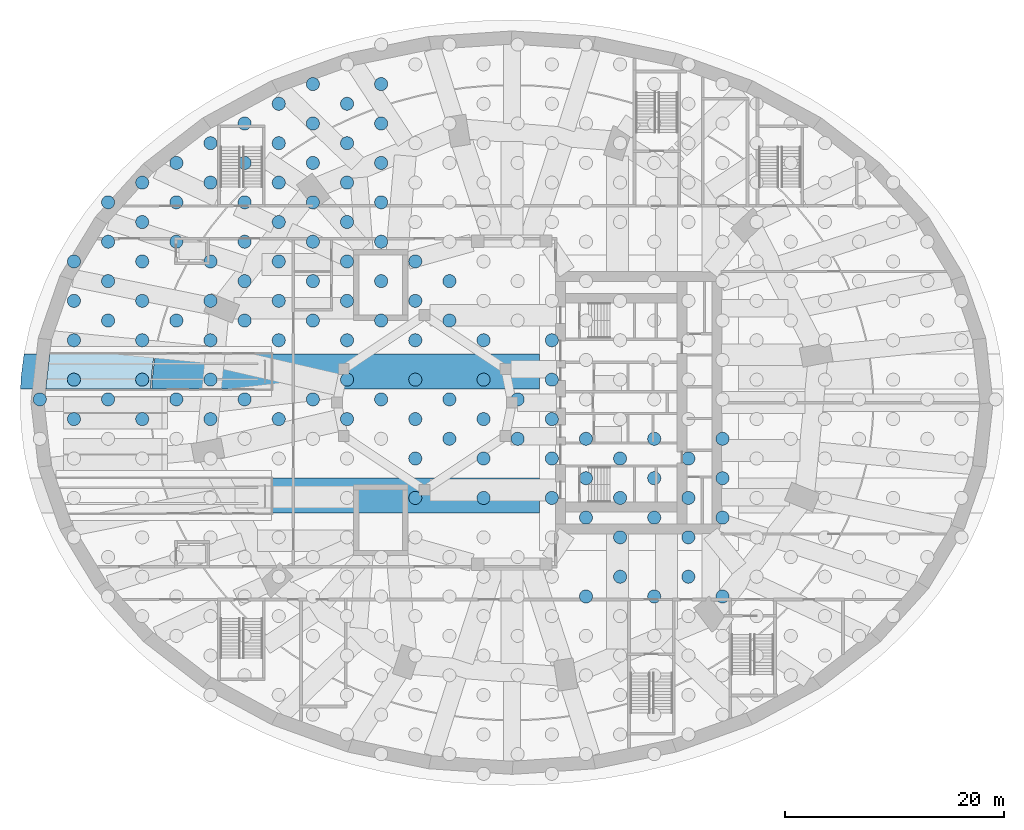
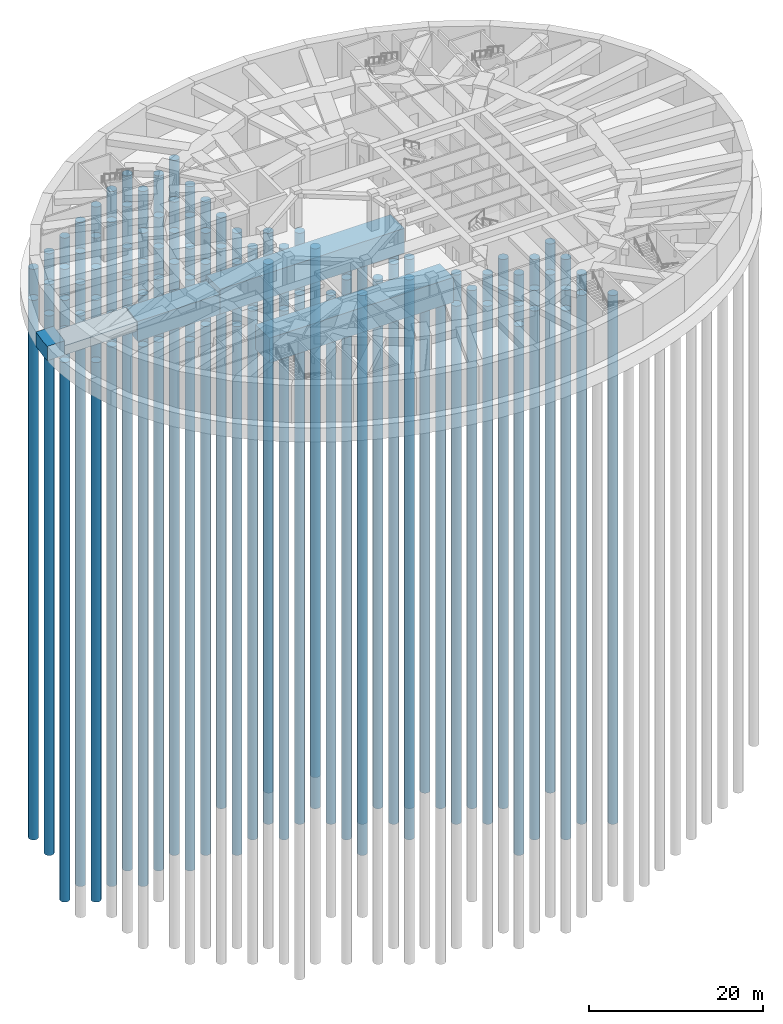
# One storey, part 2 of 18: 113 piles, 5 footings.
"""IFC4 building model written with IfcOpenShell, lengths in metres."""

from ifc_helpers import new_model, si_unit, direction, frame, origin, origin_2d, place, context, subcontext, project, spatial, polyline, circle, outline, extrude, material, layer, layer_set, material_profile, profile_set, type_object, element, save


model = new_model("IFC4")

# Units and contexts
model_context = context("Model", 3, precision=1e-05, world=origin(), true_north=direction((0.0, 1.0)))
body_context = subcontext(model_context, "Body", "Model", "MODEL_VIEW")
ifc_project = project(units=[si_unit("LENGTHUNIT", "METRE"), si_unit("AREAUNIT", "SQUARE_METRE"), si_unit("VOLUMEUNIT", "CUBIC_METRE"), si_unit("PLANEANGLEUNIT", "RADIAN"), si_unit("MASSUNIT", "GRAM", prefix="KILO")], contexts=[model_context])

# Site, building, storey
site_placement = place(None, origin())
site = spatial("IfcSite", under=ifc_project, at=site_placement, CompositionType="ELEMENT")
building_placement = place(site_placement, origin())
building = spatial("IfcBuilding", under=site, at=building_placement, Name="Taillehof Tower", CompositionType="ELEMENT")
storey_placement = place(building_placement, frame((0.0, 0.0, -10.39990234375)))
storey = spatial("IfcBuildingStorey", under=building, at=storey_placement, Name="B2", CompositionType="ELEMENT", Elevation=-10.39990234375)

# Piles
ifc_material_1 = material(Name="Concrete C30/37", Category="concrete")
ifc_material_profile = material_profile(ifc_material_1, circle(Radius=0.60009765625, at=origin_2d()), Name="BP D1200")
ifc_profile_set = profile_set([ifc_material_profile], Name="Concrete C30/37")
pile_type = type_object("IfcPileType", Name="Bored pile D1200", PredefinedType="BORED", material=ifc_profile_set)
for number, where, z_axis, x_axis, name in (
    (1, (6.76416015625, -17.72412109375, -3.402099609375), (0.0, 0.0, -1.0), (1.0, 0.0, 0.0), "Pile 074"),
    (2, (13.008056640625, -17.72412109375, -3.402099609375), (0.0, 0.0, -1.0), (1.0, 0.0, 0.0), "Pile 075"),
    (3, (19.252197265625, -17.723876953125, -3.402099609375), (0.0, 0.0, -1.0), (1.0, 0.0, 0.0), "Pile 076"),
    (4, (9.885986328125, -15.921630859375, -3.402099609375), (0.0, 0.0, -1.0), (1.0, 0.0, 0.0), "Pile 084"),
    (5, (16.130126953125, -15.92138671875, -3.402099609375), (0.0, 0.0, -1.0), (1.0, 0.0, 0.0), "Pile 085"),
):
    element("IfcPile", number, at=place(storey_placement, frame(where, z_axis=z_axis, x_axis=x_axis)), inside=storey, type_object=pile_type, Name=name, PredefinedType="BORED", context=body_context, shape_type="SweptSolid", body=[
        extrude(circle(Radius=0.60009765625, at=origin_2d()), origin(), (0.0, 0.0, 1.0), 74.298095703125),
    ])
for number, where, z_axis, x_axis, name in (
    (6, (9.88623046875, -12.316650390625, -4.902099609375), (0.0, 0.0, -1.0), (1.0, 0.0, 0.0), "Pile 107"),
    (7, (16.130126953125, -12.316650390625, -4.902099609375), (0.0, 0.0, -1.0), (1.0, 0.0, 0.0), "Pile 108"),
    (8, (6.76416015625, -10.514404296875, -4.902099609375), (0.0, 0.0, -1.0), (1.0, 0.0, 0.0), "Pile 113"),
    (9, (13.00830078125, -10.51416015625, -4.902099609375), (0.0, 0.0, -1.0), (1.0, 0.0, 0.0), "Pile 114"),
    (10, (19.252197265625, -10.51416015625, -4.902099609375), (0.0, 0.0, -1.0), (1.0, 0.0, 0.0), "Pile 115"),
):
    element("IfcPile", number, at=place(storey_placement, frame(where, z_axis=z_axis, x_axis=x_axis)), inside=storey, type_object=pile_type, Name=name, PredefinedType="BORED", context=body_context, shape_type="SweptSolid", body=[
        extrude(circle(Radius=0.60009765625, at=origin_2d()), origin(), (0.0, 0.0, 1.0), 72.798095703125),
    ])
for number, where, z_axis, x_axis, name in (
    (11, (-8.845703125, -8.7119140625, -3.402099609375), (0.0, 0.0, -1.0), (1.0, 0.0, 0.0), "Pile 120"),
    (12, (-2.601806640625, -8.7119140625, -3.402099609375), (0.0, 0.0, -1.0), (1.0, 0.0, 0.0), "Pile 121"),
):
    element("IfcPile", number, at=place(storey_placement, frame(where, z_axis=z_axis, x_axis=x_axis)), inside=storey, type_object=pile_type, Name=name, PredefinedType="BORED", context=body_context, shape_type="SweptSolid", body=[
        extrude(circle(Radius=0.60009765625, at=origin_2d()), origin(), (0.0, 0.0, 1.0), 74.298095703125),
    ])
for number, where, z_axis, x_axis, name in (
    (13, (3.64208984375, -8.7119140625, -4.902099609375), (0.0, 0.0, -1.0), (1.0, 0.0, 0.0), "Pile 122"),
    (14, (9.88623046875, -8.7119140625, -4.902099609375), (0.0, 0.0, -1.0), (1.0, 0.0, 0.0), "Pile 123"),
    (15, (16.130126953125, -8.711669921875, -4.902099609375), (0.0, 0.0, -1.0), (1.0, 0.0, 0.0), "Pile 124"),
    (16, (6.76416015625, -6.9091796875, -4.902099609375), (0.0, 0.0, -1.0), (1.0, 0.0, 0.0), "Pile 129"),
    (17, (13.00830078125, -6.9091796875, -4.902099609375), (0.0, 0.0, -1.0), (1.0, 0.0, 0.0), "Pile 130"),
    (18, (19.252197265625, -6.9091796875, -4.902099609375), (0.0, 0.0, -1.0), (1.0, 0.0, 0.0), "Pile 131"),
):
    element("IfcPile", number, at=place(storey_placement, frame(where, z_axis=z_axis, x_axis=x_axis)), inside=storey, type_object=pile_type, Name=name, PredefinedType="BORED", context=body_context, shape_type="SweptSolid", body=[
        extrude(circle(Radius=0.60009765625, at=origin_2d()), origin(), (0.0, 0.0, 1.0), 72.798095703125),
    ])
for number, where, z_axis, x_axis, name in (
    (19, (-8.845703125, -5.107177734375, -3.402099609375), (0.0, 0.0, -1.0), (1.0, 0.0, 0.0), "Pile 137"),
    (20, (-2.601806640625, -5.10693359375, -3.402099609375), (0.0, 0.0, -1.0), (1.0, 0.0, 0.0), "Pile 138"),
):
    element("IfcPile", number, at=place(storey_placement, frame(where, z_axis=z_axis, x_axis=x_axis)), inside=storey, type_object=pile_type, Name=name, PredefinedType="BORED", context=body_context, shape_type="SweptSolid", body=[
        extrude(circle(Radius=0.60009765625, at=origin_2d()), origin(), (0.0, 0.0, 1.0), 74.298095703125),
    ])
for number, where, z_axis, x_axis, name in (
    (21, (3.642333984375, -5.10693359375, -4.902099609375), (0.0, 0.0, -1.0), (1.0, 0.0, 0.0), "Pile 139"),
    (22, (9.88623046875, -5.106689453125, -4.902099609375), (0.0, 0.0, -1.0), (1.0, 0.0, 0.0), "Pile 140"),
    (23, (16.13037109375, -5.106689453125, -4.902099609375), (0.0, 0.0, -1.0), (1.0, 0.0, 0.0), "Pile 141"),
):
    element("IfcPile", number, at=place(storey_placement, frame(where, z_axis=z_axis, x_axis=x_axis)), inside=storey, type_object=pile_type, Name=name, PredefinedType="BORED", context=body_context, shape_type="SweptSolid", body=[
        extrude(circle(Radius=0.60009765625, at=origin_2d()), origin(), (0.0, 0.0, 1.0), 72.798095703125),
    ])
for number, where, z_axis, x_axis, name in (
    (24, (-5.7236328125, -3.3046875, -3.402099609375), (0.0, 0.0, -1.0), (1.0, 0.0, 0.0), "Pile 152"),
    (25, (0.520263671875, -3.304443359375, -3.402099609375), (0.0, 0.0, -1.0), (1.0, 0.0, 0.0), "Pile 153"),
):
    element("IfcPile", number, at=place(storey_placement, frame(where, z_axis=z_axis, x_axis=x_axis)), inside=storey, type_object=pile_type, Name=name, PredefinedType="BORED", context=body_context, shape_type="SweptSolid", body=[
        extrude(circle(Radius=0.60009765625, at=origin_2d()), origin(), (0.0, 0.0, 1.0), 74.298095703125),
    ])
for number, where, z_axis, x_axis, name in (
    (26, (6.764404296875, -3.304443359375, -4.902099609375), (0.0, 0.0, -1.0), (1.0, 0.0, 0.0), "Pile 154"),
    (27, (13.00830078125, -3.30419921875, -4.902099609375), (0.0, 0.0, -1.0), (1.0, 0.0, 0.0), "Pile 155"),
    (28, (19.252197265625, -3.30419921875, -4.902099609375), (0.0, 0.0, -1.0), (1.0, 0.0, 0.0), "Pile 156"),
):
    element("IfcPile", number, at=place(storey_placement, frame(where, z_axis=z_axis, x_axis=x_axis)), inside=storey, type_object=pile_type, Name=name, PredefinedType="BORED", context=body_context, shape_type="SweptSolid", body=[
        extrude(circle(Radius=0.60009765625, at=origin_2d()), origin(), (0.0, 0.0, 1.0), 72.798095703125),
    ])
for number, where, z_axis, x_axis, name in (
    (29, (-40.065673828125, -1.502685546875, -1.902099609375), (0.0, 0.0, -1.0), (1.0, 0.0, 0.0), "Pile 160"),
    (30, (-33.82177734375, -1.50244140625, -1.902099609375), (0.0, 0.0, -1.0), (1.0, 0.0, 0.0), "Pile 161"),
):
    element("IfcPile", number, at=place(storey_placement, frame(where, z_axis=z_axis, x_axis=x_axis)), inside=storey, type_object=pile_type, Name=name, PredefinedType="BORED", context=body_context, shape_type="SweptSolid", body=[
        extrude(circle(Radius=0.60009765625, at=origin_2d()), origin(), (0.0, 0.0, 1.0), 75.798095703125),
    ])
for number, where, z_axis, x_axis, name in (
    (31, (-27.57763671875, -1.50244140625, -3.402099609375), (0.0, 0.0, -1.0), (1.0, 0.0, 0.0), "Pile 162"),
    (32, (-21.333740234375, -1.502197265625, -3.402099609375), (0.0, 0.0, -1.0), (1.0, 0.0, 0.0), "Pile 163"),
    (33, (-15.089599609375, -1.502197265625, -3.402099609375), (0.0, 0.0, -1.0), (1.0, 0.0, 0.0), "Pile 164"),
    (34, (-8.845703125, -1.502197265625, -3.402099609375), (0.0, 0.0, -1.0), (1.0, 0.0, 0.0), "Pile 165"),
    (35, (-2.601806640625, -1.502197265625, -3.402099609375), (0.0, 0.0, -1.0), (1.0, 0.0, 0.0), "Pile 166"),
):
    element("IfcPile", number, at=place(storey_placement, frame(where, z_axis=z_axis, x_axis=x_axis)), inside=storey, type_object=pile_type, Name=name, PredefinedType="BORED", context=body_context, shape_type="SweptSolid", body=[
        extrude(circle(Radius=0.60009765625, at=origin_2d()), origin(), (0.0, 0.0, 1.0), 74.298095703125),
    ])
pile_1_placement = place(storey_placement, frame((3.642333984375, -1.501953125, -4.902099609375), z_axis=(0.0, 0.0, -1.0), x_axis=(1.0, 0.0, 0.0)))
element("IfcPile", 36, at=pile_1_placement, inside=storey, type_object=pile_type, Name="Pile 167", PredefinedType="BORED", context=body_context, shape_type="SweptSolid", body=[
    extrude(circle(Radius=0.60009765625, at=origin_2d()), origin(), (0.0, 0.0, 1.0), 72.798095703125),
])
for number, where, z_axis, x_axis, name in (
    (37, (-43.1875, 0.2998046875, -1.902099609375), (0.0, 0.0, -1.0), (1.0, 0.0, 0.0), "Pile 174"),
    (38, (-36.943603515625, 0.2998046875, -1.902099609375), (0.0, 0.0, -1.0), (1.0, 0.0, 0.0), "Pile 175"),
):
    element("IfcPile", number, at=place(storey_placement, frame(where, z_axis=z_axis, x_axis=x_axis)), inside=storey, type_object=pile_type, Name=name, PredefinedType="BORED", context=body_context, shape_type="SweptSolid", body=[
        extrude(circle(Radius=0.60009765625, at=origin_2d()), origin(), (0.0, 0.0, 1.0), 75.798095703125),
    ])
for number, where, z_axis, x_axis, name in (
    (39, (-30.69970703125, 0.300048828125, -3.402099609375), (0.0, 0.0, -1.0), (1.0, 0.0, 0.0), "Pile 176"),
    (40, (-24.455810546875, 0.300048828125, -3.402099609375), (0.0, 0.0, -1.0), (1.0, 0.0, 0.0), "Pile 177"),
    (41, (-18.211669921875, 0.30029296875, -3.402099609375), (0.0, 0.0, -1.0), (1.0, 0.0, 0.0), "Pile 178"),
    (42, (-11.9677734375, 0.30029296875, -3.402099609375), (0.0, 0.0, -1.0), (1.0, 0.0, 0.0), "Pile 179"),
    (43, (-5.7236328125, 0.30029296875, -3.402099609375), (0.0, 0.0, -1.0), (1.0, 0.0, 0.0), "Pile 180"),
    (44, (0.520263671875, 0.30029296875, -3.402099609375), (0.0, 0.0, -1.0), (1.0, 0.0, 0.0), "Pile 181"),
):
    element("IfcPile", number, at=place(storey_placement, frame(where, z_axis=z_axis, x_axis=x_axis)), inside=storey, type_object=pile_type, Name=name, PredefinedType="BORED", context=body_context, shape_type="SweptSolid", body=[
        extrude(circle(Radius=0.60009765625, at=origin_2d()), origin(), (0.0, 0.0, 1.0), 74.298095703125),
    ])
for number, where, z_axis, x_axis, name in (
    (45, (-40.065673828125, 2.102294921875, -1.902099609375), (0.0, 0.0, -1.0), (1.0, 0.0, 0.0), "Pile 189"),
    (46, (-33.821533203125, 2.102294921875, -1.902099609375), (0.0, 0.0, -1.0), (1.0, 0.0, 0.0), "Pile 190"),
):
    element("IfcPile", number, at=place(storey_placement, frame(where, z_axis=z_axis, x_axis=x_axis)), inside=storey, type_object=pile_type, Name=name, PredefinedType="BORED", context=body_context, shape_type="SweptSolid", body=[
        extrude(circle(Radius=0.60009765625, at=origin_2d()), origin(), (0.0, 0.0, 1.0), 75.798095703125),
    ])
for number, where, z_axis, x_axis, name in (
    (47, (-27.57763671875, 2.1025390625, -3.402099609375), (0.0, 0.0, -1.0), (1.0, 0.0, 0.0), "Pile 191"),
    (48, (-15.089599609375, 2.102783203125, -3.402099609375), (0.0, 0.0, -1.0), (1.0, 0.0, 0.0), "Pile 192"),
    (49, (-8.845703125, 2.102783203125, -3.402099609375), (0.0, 0.0, -1.0), (1.0, 0.0, 0.0), "Pile 193"),
    (50, (-2.6015625, 2.102783203125, -3.402099609375), (0.0, 0.0, -1.0), (1.0, 0.0, 0.0), "Pile 194"),
):
    element("IfcPile", number, at=place(storey_placement, frame(where, z_axis=z_axis, x_axis=x_axis)), inside=storey, type_object=pile_type, Name=name, PredefinedType="BORED", context=body_context, shape_type="SweptSolid", body=[
        extrude(circle(Radius=0.60009765625, at=origin_2d()), origin(), (0.0, 0.0, 1.0), 74.298095703125),
    ])
pile_2_placement = place(storey_placement, frame((3.642333984375, 2.102783203125, -4.902099609375), z_axis=(0.0, 0.0, -1.0), x_axis=(1.0, 0.0, 0.0)))
element("IfcPile", 51, at=pile_2_placement, inside=storey, type_object=pile_type, Name="Pile 195", PredefinedType="BORED", context=body_context, shape_type="SweptSolid", body=[
    extrude(circle(Radius=0.60009765625, at=origin_2d()), origin(), (0.0, 0.0, 1.0), 72.798095703125),
])
for number, where, z_axis, x_axis, name in (
    (52, (-40.065673828125, 5.707275390625, -1.902099609375), (0.0, 0.0, -1.0), (1.0, 0.0, 0.0), "Pile 205"),
    (53, (-33.821533203125, 5.70751953125, -1.902099609375), (0.0, 0.0, -1.0), (1.0, 0.0, 0.0), "Pile 206"),
):
    element("IfcPile", number, at=place(storey_placement, frame(where, z_axis=z_axis, x_axis=x_axis)), inside=storey, type_object=pile_type, Name=name, PredefinedType="BORED", context=body_context, shape_type="SweptSolid", body=[
        extrude(circle(Radius=0.60009765625, at=origin_2d()), origin(), (0.0, 0.0, 1.0), 75.798095703125),
    ])
for number, where, z_axis, x_axis, name in (
    (54, (-27.57763671875, 5.70751953125, -3.402099609375), (0.0, 0.0, -1.0), (1.0, 0.0, 0.0), "Pile 207"),
    (55, (-21.33349609375, 5.70751953125, -3.402099609375), (0.0, 0.0, -1.0), (1.0, 0.0, 0.0), "Pile 208"),
    (56, (-15.089599609375, 5.70751953125, -3.402099609375), (0.0, 0.0, -1.0), (1.0, 0.0, 0.0), "Pile 209"),
    (57, (-8.845703125, 5.707763671875, -3.402099609375), (0.0, 0.0, -1.0), (1.0, 0.0, 0.0), "Pile 210"),
    (58, (-2.6015625, 5.707763671875, -3.402099609375), (0.0, 0.0, -1.0), (1.0, 0.0, 0.0), "Pile 211"),
):
    element("IfcPile", number, at=place(storey_placement, frame(where, z_axis=z_axis, x_axis=x_axis)), inside=storey, type_object=pile_type, Name=name, PredefinedType="BORED", context=body_context, shape_type="SweptSolid", body=[
        extrude(circle(Radius=0.60009765625, at=origin_2d()), origin(), (0.0, 0.0, 1.0), 74.298095703125),
    ])
pile_3_placement = place(storey_placement, frame((3.642333984375, 5.707763671875, -4.902099609375), z_axis=(0.0, 0.0, -1.0), x_axis=(1.0, 0.0, 0.0)))
element("IfcPile", 59, at=pile_3_placement, inside=storey, type_object=pile_type, Name="Pile 212", PredefinedType="BORED", context=body_context, shape_type="SweptSolid", body=[
    extrude(circle(Radius=0.60009765625, at=origin_2d()), origin(), (0.0, 0.0, 1.0), 72.798095703125),
])
pile_4_placement = place(storey_placement, frame((-36.943603515625, 7.509765625, -1.902099609375), z_axis=(0.0, 0.0, -1.0), x_axis=(1.0, 0.0, 0.0)))
element("IfcPile", 60, at=pile_4_placement, inside=storey, type_object=pile_type, Name="Pile 219", PredefinedType="BORED", context=body_context, shape_type="SweptSolid", body=[
    extrude(circle(Radius=0.60009765625, at=origin_2d()), origin(), (0.0, 0.0, 1.0), 75.798095703125),
])
for number, where, z_axis, x_axis, name in (
    (61, (-30.69970703125, 7.510009765625, -3.402099609375), (0.0, 0.0, -1.0), (1.0, 0.0, 0.0), "Pile 220"),
    (62, (-24.45556640625, 7.510009765625, -3.402099609375), (0.0, 0.0, -1.0), (1.0, 0.0, 0.0), "Pile 221"),
    (63, (-18.211669921875, 7.510009765625, -3.402099609375), (0.0, 0.0, -1.0), (1.0, 0.0, 0.0), "Pile 222"),
    (64, (-11.967529296875, 7.510009765625, -3.402099609375), (0.0, 0.0, -1.0), (1.0, 0.0, 0.0), "Pile 223"),
    (65, (-5.7236328125, 7.51025390625, -3.402099609375), (0.0, 0.0, -1.0), (1.0, 0.0, 0.0), "Pile 224"),
):
    element("IfcPile", number, at=place(storey_placement, frame(where, z_axis=z_axis, x_axis=x_axis)), inside=storey, type_object=pile_type, Name=name, PredefinedType="BORED", context=body_context, shape_type="SweptSolid", body=[
        extrude(circle(Radius=0.60009765625, at=origin_2d()), origin(), (0.0, 0.0, 1.0), 74.298095703125),
    ])
for number, where, z_axis, x_axis, name in (
    (66, (-40.0654296875, 9.312255859375, -1.902099609375), (0.0, 0.0, -1.0), (1.0, 0.0, 0.0), "Pile 231"),
    (67, (-33.821533203125, 9.312255859375, -1.902099609375), (0.0, 0.0, -1.0), (1.0, 0.0, 0.0), "Pile 232"),
):
    element("IfcPile", number, at=place(storey_placement, frame(where, z_axis=z_axis, x_axis=x_axis)), inside=storey, type_object=pile_type, Name=name, PredefinedType="BORED", context=body_context, shape_type="SweptSolid", body=[
        extrude(circle(Radius=0.60009765625, at=origin_2d()), origin(), (0.0, 0.0, 1.0), 75.798095703125),
    ])
for number, where, z_axis, x_axis, name in (
    (68, (-27.577392578125, 9.3125, -3.402099609375), (0.0, 0.0, -1.0), (1.0, 0.0, 0.0), "Pile 233"),
    (69, (-21.33349609375, 9.3125, -3.402099609375), (0.0, 0.0, -1.0), (1.0, 0.0, 0.0), "Pile 234"),
    (70, (-15.089599609375, 9.3125, -3.402099609375), (0.0, 0.0, -1.0), (1.0, 0.0, 0.0), "Pile 235"),
    (71, (-8.845458984375, 9.3125, -3.402099609375), (0.0, 0.0, -1.0), (1.0, 0.0, 0.0), "Pile 236"),
):
    element("IfcPile", number, at=place(storey_placement, frame(where, z_axis=z_axis, x_axis=x_axis)), inside=storey, type_object=pile_type, Name=name, PredefinedType="BORED", context=body_context, shape_type="SweptSolid", body=[
        extrude(circle(Radius=0.60009765625, at=origin_2d()), origin(), (0.0, 0.0, 1.0), 74.298095703125),
    ])
pile_5_placement = place(storey_placement, frame((-36.943603515625, 11.11474609375, -1.902099609375), z_axis=(0.0, 0.0, -1.0), x_axis=(1.0, 0.0, 0.0)))
element("IfcPile", 72, at=pile_5_placement, inside=storey, type_object=pile_type, Name="Pile 245", PredefinedType="BORED", context=body_context, shape_type="SweptSolid", body=[
    extrude(circle(Radius=0.60009765625, at=origin_2d()), origin(), (0.0, 0.0, 1.0), 75.798095703125),
])
for number, where, z_axis, x_axis, name in (
    (73, (-24.45556640625, 11.114990234375, -3.402099609375), (0.0, 0.0, -1.0), (1.0, 0.0, 0.0), "Pile 246"),
    (74, (-18.21142578125, 11.114990234375, -3.402099609375), (0.0, 0.0, -1.0), (1.0, 0.0, 0.0), "Pile 247"),
    (75, (-11.967529296875, 11.114990234375, -3.402099609375), (0.0, 0.0, -1.0), (1.0, 0.0, 0.0), "Pile 248"),
    (76, (-5.723388671875, 11.114990234375, -3.402099609375), (0.0, 0.0, -1.0), (1.0, 0.0, 0.0), "Pile 249"),
):
    element("IfcPile", number, at=place(storey_placement, frame(where, z_axis=z_axis, x_axis=x_axis)), inside=storey, type_object=pile_type, Name=name, PredefinedType="BORED", context=body_context, shape_type="SweptSolid", body=[
        extrude(circle(Radius=0.60009765625, at=origin_2d()), origin(), (0.0, 0.0, 1.0), 74.298095703125),
    ])
for number, where, z_axis, x_axis, name in (
    (77, (-40.0654296875, 12.9169921875, -1.902099609375), (0.0, 0.0, -1.0), (1.0, 0.0, 0.0), "Pile 257"),
    (78, (-33.821533203125, 12.917236328125, -1.902099609375), (0.0, 0.0, -1.0), (1.0, 0.0, 0.0), "Pile 258"),
):
    element("IfcPile", number, at=place(storey_placement, frame(where, z_axis=z_axis, x_axis=x_axis)), inside=storey, type_object=pile_type, Name=name, PredefinedType="BORED", context=body_context, shape_type="SweptSolid", body=[
        extrude(circle(Radius=0.60009765625, at=origin_2d()), origin(), (0.0, 0.0, 1.0), 75.798095703125),
    ])
for number, where, z_axis, x_axis, name in (
    (79, (-27.577392578125, 12.917236328125, -3.402099609375), (0.0, 0.0, -1.0), (1.0, 0.0, 0.0), "Pile 259"),
    (80, (-21.33349609375, 12.91748046875, -3.402099609375), (0.0, 0.0, -1.0), (1.0, 0.0, 0.0), "Pile 260"),
    (81, (-15.089599609375, 12.91748046875, -3.402099609375), (0.0, 0.0, -1.0), (1.0, 0.0, 0.0), "Pile 261"),
    (82, (-8.845458984375, 12.91748046875, -3.402099609375), (0.0, 0.0, -1.0), (1.0, 0.0, 0.0), "Pile 262"),
):
    element("IfcPile", number, at=place(storey_placement, frame(where, z_axis=z_axis, x_axis=x_axis)), inside=storey, type_object=pile_type, Name=name, PredefinedType="BORED", context=body_context, shape_type="SweptSolid", body=[
        extrude(circle(Radius=0.60009765625, at=origin_2d()), origin(), (0.0, 0.0, 1.0), 74.298095703125),
    ])
for number, where, z_axis, x_axis, name in (
    (83, (-36.943603515625, 14.719482421875, -1.902099609375), (0.0, 0.0, -1.0), (1.0, 0.0, 0.0), "Pile 267"),
    (84, (-30.699462890625, 14.7197265625, -1.902099609375), (0.0, 0.0, -1.0), (1.0, 0.0, 0.0), "Pile 268"),
):
    element("IfcPile", number, at=place(storey_placement, frame(where, z_axis=z_axis, x_axis=x_axis)), inside=storey, type_object=pile_type, Name=name, PredefinedType="BORED", context=body_context, shape_type="SweptSolid", body=[
        extrude(circle(Radius=0.60009765625, at=origin_2d()), origin(), (0.0, 0.0, 1.0), 75.798095703125),
    ])
for number, where, z_axis, x_axis, name in (
    (85, (-24.45556640625, 14.7197265625, -3.402099609375), (0.0, 0.0, -1.0), (1.0, 0.0, 0.0), "Pile 269"),
    (86, (-18.21142578125, 14.719970703125, -3.402099609375), (0.0, 0.0, -1.0), (1.0, 0.0, 0.0), "Pile 270"),
    (87, (-11.967529296875, 14.719970703125, -3.402099609375), (0.0, 0.0, -1.0), (1.0, 0.0, 0.0), "Pile 271"),
):
    element("IfcPile", number, at=place(storey_placement, frame(where, z_axis=z_axis, x_axis=x_axis)), inside=storey, type_object=pile_type, Name=name, PredefinedType="BORED", context=body_context, shape_type="SweptSolid", body=[
        extrude(circle(Radius=0.60009765625, at=origin_2d()), origin(), (0.0, 0.0, 1.0), 74.298095703125),
    ])
pile_6_placement = place(storey_placement, frame((-33.8212890625, 16.522216796875, -1.902099609375), z_axis=(0.0, 0.0, -1.0), x_axis=(1.0, 0.0, 0.0)))
element("IfcPile", 88, at=pile_6_placement, inside=storey, type_object=pile_type, Name="Pile 280", PredefinedType="BORED", context=body_context, shape_type="SweptSolid", body=[
    extrude(circle(Radius=0.60009765625, at=origin_2d()), origin(), (0.0, 0.0, 1.0), 75.798095703125),
])
for number, where, z_axis, x_axis, name in (
    (89, (-21.33349609375, 16.522216796875, -3.402099609375), (0.0, 0.0, -1.0), (1.0, 0.0, 0.0), "Pile 281"),
    (90, (-15.089599609375, 16.5224609375, -3.402099609375), (0.0, 0.0, -1.0), (1.0, 0.0, 0.0), "Pile 282"),
):
    element("IfcPile", number, at=place(storey_placement, frame(where, z_axis=z_axis, x_axis=x_axis)), inside=storey, type_object=pile_type, Name=name, PredefinedType="BORED", context=body_context, shape_type="SweptSolid", body=[
        extrude(circle(Radius=0.60009765625, at=origin_2d()), origin(), (0.0, 0.0, 1.0), 74.298095703125),
    ])
for number, where, z_axis, x_axis, name in (
    (91, (-36.943359375, 18.324462890625, -1.902099609375), (0.0, 0.0, -1.0), (1.0, 0.0, 0.0), "Pile 291"),
    (92, (-30.699462890625, 18.32470703125, -1.902099609375), (0.0, 0.0, -1.0), (1.0, 0.0, 0.0), "Pile 292"),
):
    element("IfcPile", number, at=place(storey_placement, frame(where, z_axis=z_axis, x_axis=x_axis)), inside=storey, type_object=pile_type, Name=name, PredefinedType="BORED", context=body_context, shape_type="SweptSolid", body=[
        extrude(circle(Radius=0.60009765625, at=origin_2d()), origin(), (0.0, 0.0, 1.0), 75.798095703125),
    ])
for number, where, z_axis, x_axis, name in (
    (93, (-24.455322265625, 18.32470703125, -3.402099609375), (0.0, 0.0, -1.0), (1.0, 0.0, 0.0), "Pile 293"),
    (94, (-18.21142578125, 18.32470703125, -3.402099609375), (0.0, 0.0, -1.0), (1.0, 0.0, 0.0), "Pile 294"),
    (95, (-11.96728515625, 18.324951171875, -3.402099609375), (0.0, 0.0, -1.0), (1.0, 0.0, 0.0), "Pile 295"),
):
    element("IfcPile", number, at=place(storey_placement, frame(where, z_axis=z_axis, x_axis=x_axis)), inside=storey, type_object=pile_type, Name=name, PredefinedType="BORED", context=body_context, shape_type="SweptSolid", body=[
        extrude(circle(Radius=0.60009765625, at=origin_2d()), origin(), (0.0, 0.0, 1.0), 74.298095703125),
    ])
for number, where, z_axis, x_axis, name in (
    (96, (-33.8212890625, 20.126953125, -1.902099609375), (0.0, 0.0, -1.0), (1.0, 0.0, 0.0), "Pile 302"),
    (97, (-27.577392578125, 20.127197265625, -1.902099609375), (0.0, 0.0, -1.0), (1.0, 0.0, 0.0), "Pile 303"),
):
    element("IfcPile", number, at=place(storey_placement, frame(where, z_axis=z_axis, x_axis=x_axis)), inside=storey, type_object=pile_type, Name=name, PredefinedType="BORED", context=body_context, shape_type="SweptSolid", body=[
        extrude(circle(Radius=0.60009765625, at=origin_2d()), origin(), (0.0, 0.0, 1.0), 75.798095703125),
    ])
for number, where, z_axis, x_axis, name in (
    (98, (-21.33349609375, 20.127197265625, -3.402099609375), (0.0, 0.0, -1.0), (1.0, 0.0, 0.0), "Pile 304"),
    (99, (-15.08935546875, 20.127197265625, -3.402099609375), (0.0, 0.0, -1.0), (1.0, 0.0, 0.0), "Pile 305"),
):
    element("IfcPile", number, at=place(storey_placement, frame(where, z_axis=z_axis, x_axis=x_axis)), inside=storey, type_object=pile_type, Name=name, PredefinedType="BORED", context=body_context, shape_type="SweptSolid", body=[
        extrude(circle(Radius=0.60009765625, at=origin_2d()), origin(), (0.0, 0.0, 1.0), 74.298095703125),
    ])
for number, where, z_axis, x_axis, name in (
    (100, (-30.699462890625, 21.929443359375, -1.902099609375), (0.0, 0.0, -1.0), (1.0, 0.0, 0.0), "Pile 314"),
    (101, (-24.455322265625, 21.9296875, -1.902099609375), (0.0, 0.0, -1.0), (1.0, 0.0, 0.0), "Pile 315"),
):
    element("IfcPile", number, at=place(storey_placement, frame(where, z_axis=z_axis, x_axis=x_axis)), inside=storey, type_object=pile_type, Name=name, PredefinedType="BORED", context=body_context, shape_type="SweptSolid", body=[
        extrude(circle(Radius=0.60009765625, at=origin_2d()), origin(), (0.0, 0.0, 1.0), 75.798095703125),
    ])
for number, where, z_axis, x_axis, name in (
    (102, (-18.21142578125, 21.9296875, -3.402099609375), (0.0, 0.0, -1.0), (1.0, 0.0, 0.0), "Pile 316"),
    (103, (-11.96728515625, 21.9296875, -3.402099609375), (0.0, 0.0, -1.0), (1.0, 0.0, 0.0), "Pile 317"),
):
    element("IfcPile", number, at=place(storey_placement, frame(where, z_axis=z_axis, x_axis=x_axis)), inside=storey, type_object=pile_type, Name=name, PredefinedType="BORED", context=body_context, shape_type="SweptSolid", body=[
        extrude(circle(Radius=0.60009765625, at=origin_2d()), origin(), (0.0, 0.0, 1.0), 74.298095703125),
    ])
for number, where, z_axis, x_axis, name in (
    (104, (-27.577392578125, 23.73193359375, -1.902099609375), (0.0, 0.0, -1.0), (1.0, 0.0, 0.0), "Pile 325"),
    (105, (-21.33349609375, 23.732177734375, -1.902099609375), (0.0, 0.0, -1.0), (1.0, 0.0, 0.0), "Pile 326"),
):
    element("IfcPile", number, at=place(storey_placement, frame(where, z_axis=z_axis, x_axis=x_axis)), inside=storey, type_object=pile_type, Name=name, PredefinedType="BORED", context=body_context, shape_type="SweptSolid", body=[
        extrude(circle(Radius=0.60009765625, at=origin_2d()), origin(), (0.0, 0.0, 1.0), 75.798095703125),
    ])
pile_7_placement = place(storey_placement, frame((-15.08935546875, 23.732177734375, -3.402099609375), z_axis=(0.0, 0.0, -1.0), x_axis=(1.0, 0.0, 0.0)))
element("IfcPile", 106, at=pile_7_placement, inside=storey, type_object=pile_type, Name="Pile 327", PredefinedType="BORED", context=body_context, shape_type="SweptSolid", body=[
    extrude(circle(Radius=0.60009765625, at=origin_2d()), origin(), (0.0, 0.0, 1.0), 74.298095703125),
])
for number, where, z_axis, x_axis, name in (
    (107, (-24.455322265625, 25.534423828125, -1.902099609375), (0.0, 0.0, -1.0), (1.0, 0.0, 0.0), "Pile 335"),
    (108, (-18.211181640625, 25.53466796875, -1.902099609375), (0.0, 0.0, -1.0), (1.0, 0.0, 0.0), "Pile 336"),
):
    element("IfcPile", number, at=place(storey_placement, frame(where, z_axis=z_axis, x_axis=x_axis)), inside=storey, type_object=pile_type, Name=name, PredefinedType="BORED", context=body_context, shape_type="SweptSolid", body=[
        extrude(circle(Radius=0.60009765625, at=origin_2d()), origin(), (0.0, 0.0, 1.0), 75.798095703125),
    ])
pile_8_placement = place(storey_placement, frame((-11.96728515625, 25.53466796875, -3.402099609375), z_axis=(0.0, 0.0, -1.0), x_axis=(1.0, 0.0, 0.0)))
element("IfcPile", 109, at=pile_8_placement, inside=storey, type_object=pile_type, Name="Pile 337", PredefinedType="BORED", context=body_context, shape_type="SweptSolid", body=[
    extrude(circle(Radius=0.60009765625, at=origin_2d()), origin(), (0.0, 0.0, 1.0), 74.298095703125),
])
for number, where, z_axis, x_axis, name in (
    (110, (-21.333251953125, 27.3369140625, -1.902099609375), (0.0, 0.0, -1.0), (1.0, 0.0, 0.0), "Pile 344"),
    (111, (-15.08935546875, 27.337158203125, -1.902099609375), (0.0, 0.0, -1.0), (1.0, 0.0, 0.0), "Pile 345"),
    (112, (-18.211181640625, 29.139404296875, -1.902099609375), (0.0, 0.0, -1.0), (1.0, 0.0, 0.0), "Pile 350"),
    (113, (-11.96728515625, 29.1396484375, -1.902099609375), (0.0, 0.0, -1.0), (1.0, 0.0, 0.0), "Pile 351"),
):
    element("IfcPile", number, at=place(storey_placement, frame(where, z_axis=z_axis, x_axis=x_axis)), inside=storey, type_object=pile_type, Name=name, PredefinedType="BORED", context=body_context, shape_type="SweptSolid", body=[
        extrude(circle(Radius=0.60009765625, at=origin_2d()), origin(), (0.0, 0.0, 1.0), 75.798095703125),
    ])

# Footings
ifc_material_2 = material(Name="Concrete C35/45", Category="concrete")
ifc_layer_1 = layer(ifc_material_2, 2.0)
ifc_layer_set_1 = layer_set([ifc_layer_1], Name="Podium raft 2000")
footing_type_1 = type_object("IfcFootingType", Name="Podium raft 2000", PredefinedType="PILE_CAP", material=ifc_layer_set_1)
footing_1_placement = place(storey_placement, frame((0.0, 0.0, -2.002197265625)))
element("IfcFooting", 114, at=footing_1_placement, inside=storey, type_object=footing_type_1, Name="Podium raft", PredefinedType="PILE_CAP", context=body_context, shape_type="SweptSolid", body=[
    extrude(outline(polyline([(-44.903564453125, 2.2890625), (-44.630126953125, 4.449951171875), (-42.28857421875, 4.449951171875), (-42.65087890625, 1.25), (-44.947265625, 1.25), (-44.903564453125, 2.2890625)])), origin(), (0.0, 0.0, 1.0), 2.0),
])
ifc_material_3 = material(Name="Concrete C35/45", Category="concrete")
ifc_layer_2 = layer(ifc_material_3, 1.300048828125)
ifc_layer_set_2 = layer_set([ifc_layer_2], Name="Podium raft track trough 1300")
footing_type_2 = type_object("IfcFootingType", Name="Podium raft track trough 1300", PredefinedType="PILE_CAP", material=ifc_layer_set_2)
footing_2_placement = place(storey_placement, frame((0.0, 0.0, -2.002197265625)))
element("IfcFooting", 115, at=footing_2_placement, inside=storey, type_object=footing_type_2, Name="Podium raft track trough", PredefinedType="PILE_CAP", context=body_context, shape_type="SweptSolid", body=[
    extrude(outline(polyline([(-32.81591796875, 3.8037109375), (-32.817138671875, 3.79638671875), (-33.02880859375, 1.90771484375), (-33.029296875, 1.900390625), (-33.053466796875, 1.25), (-42.65087890625, 1.25), (-42.28857421875, 4.449951171875), (-32.694580078125, 4.449951171875), (-32.81591796875, 3.8037109375)])), origin(), (0.0, 0.0, 1.0), 1.300048828125),
])
ifc_material_4 = material(Name="Concrete C35/45", Category="concrete")
ifc_layer_3 = layer(ifc_material_4, 3.5)
ifc_layer_set_3 = layer_set([ifc_layer_3], Name="Tower raft 3500")
footing_type_3 = type_object("IfcFootingType", Name="Tower raft 3500", PredefinedType="PILE_CAP", material=ifc_layer_set_3)
footing_3_placement = place(storey_placement, frame((0.0, 0.0, -3.502197265625)))
element("IfcFooting", 116, at=footing_3_placement, inside=storey, type_object=footing_type_3, Name="Tower raft", PredefinedType="PILE_CAP", context=body_context, shape_type="SweptSolid", body=[
    extrude(outline(polyline([(-22.0, -6.89990234375), (2.5, -6.89990234375), (2.5, -10.10009765625), (-22.0, -10.10009765625), (-22.0, -6.89990234375)])), origin(), (0.0, 0.0, 1.0), 3.5),
])
footing_4_placement = place(storey_placement, frame((0.0, 0.0, -3.502197265625)))
element("IfcFooting", 117, at=footing_4_placement, inside=storey, type_object=footing_type_3, Name="Tower raft", PredefinedType="PILE_CAP", context=body_context, shape_type="SweptSolid", body=[
    extrude(outline(polyline([(-22.0, 4.449951171875), (2.5, 4.449951171875), (2.5, 1.25), (-22.0, 1.25), (-22.0, 4.449951171875)])), origin(), (0.0, 0.0, 1.0), 3.5),
])
ifc_material_5 = material(Name="Concrete C35/45", Category="concrete")
ifc_layer_4 = layer(ifc_material_5, 2.800048828125)
ifc_layer_set_4 = layer_set([ifc_layer_4], Name="Tower raft track trough 2800")
footing_type_4 = type_object("IfcFootingType", Name="Tower raft track trough 2800", PredefinedType="PILE_CAP", material=ifc_layer_set_4)
footing_5_placement = place(storey_placement, frame((0.0, 0.0, -3.502197265625)))
element("IfcFooting", 118, at=footing_5_placement, inside=storey, type_object=footing_type_4, Name="Tower raft track trough", PredefinedType="PILE_CAP", context=body_context, shape_type="SweptSolid", body=[
    extrude(outline(polyline([(-32.929443359375, 1.896728515625), (-32.7177734375, 3.78515625), (-32.5927734375, 4.449951171875), (-22.0, 4.449951171875), (-22.0, 1.25), (-32.953369140625, 1.25), (-32.929443359375, 1.896728515625)])), origin(), (0.0, 0.0, 1.0), 2.800048828125),
])

save(model, "model.ifc")
